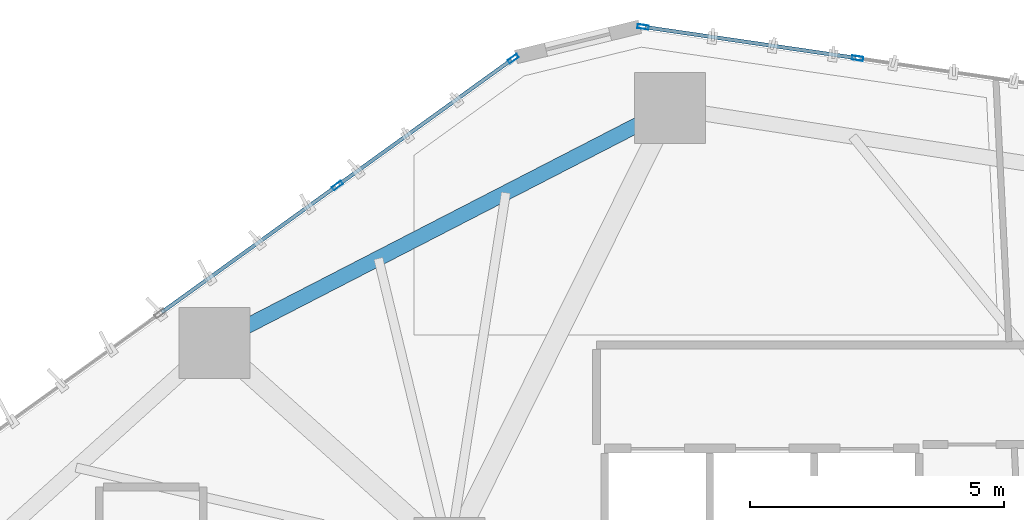
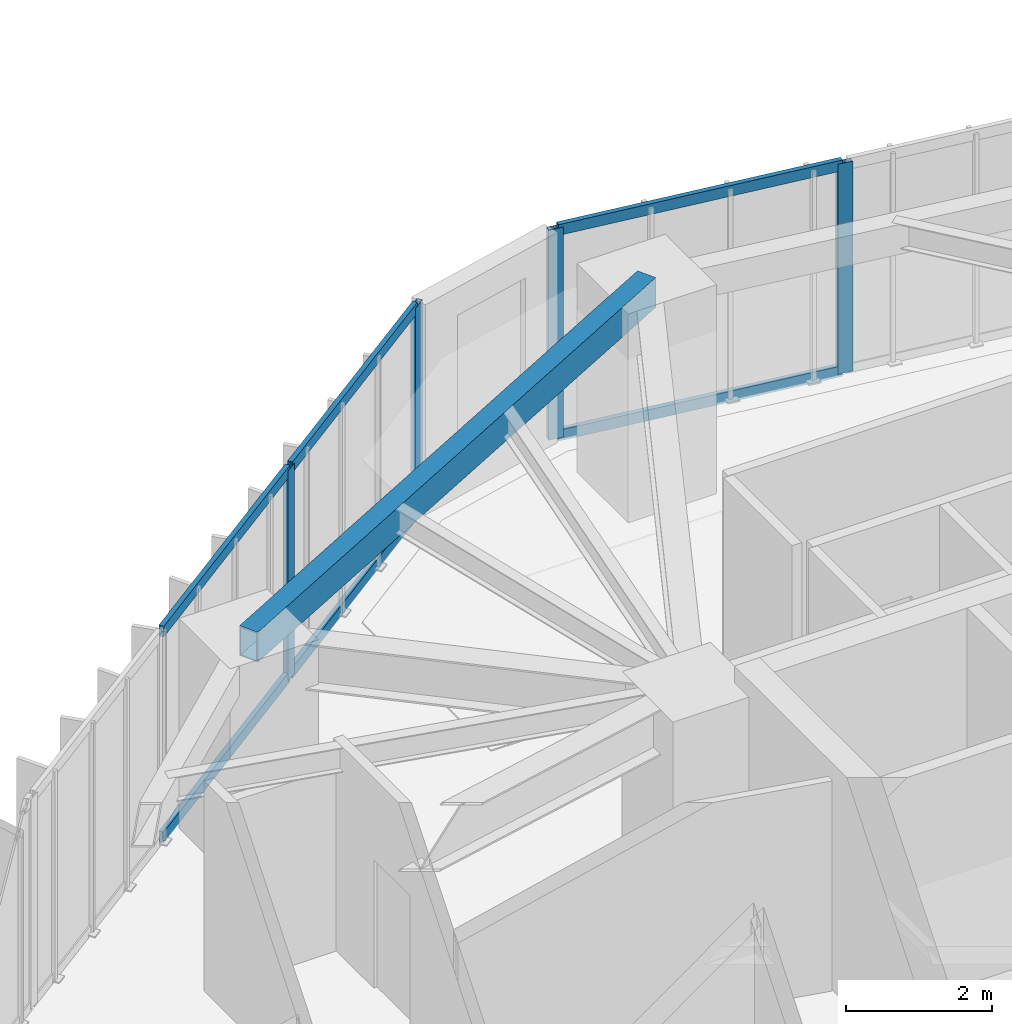
# One storey, part 14 of 22: 10 members, 1 beam, 2 elements without a shape of their own.
"""IFC4 building model written with IfcOpenShell, lengths in metres."""

from ifc_helpers import new_model, si_unit, direction, frame, origin, origin_2d, place, context, subcontext, project, spatial, hollow_rectangle, extrude, source, transform, mapped, material, layer, layer_set, material_profile, profile_set, type_object, type_shapes, element, aggregate, save


model = new_model("IFC4")

# Units and contexts
model_context = context("Model", 3, precision=1e-05, world=origin(), true_north=direction((0.0, 1.0)))
body_context = subcontext(model_context, "Body", "Model", "MODEL_VIEW")
ifc_project = project(units=[si_unit("LENGTHUNIT", "METRE"), si_unit("AREAUNIT", "SQUARE_METRE"), si_unit("VOLUMEUNIT", "CUBIC_METRE"), si_unit("PLANEANGLEUNIT", "RADIAN"), si_unit("MASSUNIT", "GRAM", prefix="KILO")], contexts=[model_context])

# Site, building, storey
site_placement = place(None, origin())
site = spatial("IfcSite", under=ifc_project, at=site_placement, CompositionType="ELEMENT")
building_placement = place(site_placement, origin())
building = spatial("IfcBuilding", under=site, at=building_placement, Name="Talar Marvaseh", CompositionType="ELEMENT")
storey_placement = place(building_placement, frame((0.0, 0.0, 65.800048828125)))
storey = spatial("IfcBuildingStorey", under=building, at=storey_placement, Name="L16", CompositionType="ELEMENT", Elevation=65.800048828125)

# Beam
ifc_material_1 = material(Name="Steel S355", Category="steel")
ifc_material_profile_1 = material_profile(ifc_material_1, hollow_rectangle(XDim=0.300048828125, YDim=0.5, WallThickness=0.02001953125, at=origin_2d()), Name="RHS500x300x20")
ifc_profile_set_1 = profile_set([ifc_material_profile_1], Name="Steel S355")
beam_type = type_object("IfcBeamType", Name="Zone 1 Perimeter Spandrel Beam RHS500x300x20", PredefinedType="SPANDREL", material=ifc_profile_set_1)
beam_placement = place(storey_placement, frame((14.069091796875, 41.04296875, 3.27001953125), z_axis=(0.889015710182, 0.457876694155, 0.0), x_axis=(-0.457876694155, 0.889015710182, 0.0)))
element("IfcBeam", 1, at=beam_placement, inside=storey, type_object=beam_type, Name="L16 Zone 1 Perimeter Spandrel Beam RHS500x300x20", PredefinedType="SPANDREL", context=body_context, shape_type="SweptSolid", body=[
    extrude(hollow_rectangle(XDim=0.300048828125, YDim=0.5, WallThickness=0.02001953125, at=origin_2d()), origin(), (0.0, 0.0, 1.0), 10.098876953125),
])

# Curtain wall, members
ifc_material_2 = material(Name="Architectural Aluminium", Category="aluminium")
ifc_layer = layer(ifc_material_2, 0.219970703125)
ifc_layer_set = layer_set([ifc_layer], Name="Architectural Aluminium")
curtain_wall_type = type_object("IfcCurtainWallType", Name="Unitised Low-E Museum Curtain Wall Z1", PredefinedType="NOTDEFINED", material=ifc_layer_set)
curtain_wall_1_placement = place(storey_placement, origin())
curtain_wall_1 = element("IfcCurtainWall", 2, at=curtain_wall_1_placement, inside=storey, type_object=curtain_wall_type, Name="L16 Unitised Low-E Museum Curtain Wall Z1", PredefinedType="NOTDEFINED")
ifc_material_profile_2 = material_profile(ifc_material_2, hollow_rectangle(XDim=0.080078125, YDim=0.219970703125, WallThickness=0.0048828125, at=origin_2d()), Name="RHS220x80x5")
ifc_profile_set_2 = profile_set([ifc_material_profile_2], Name="Architectural Aluminium")
member_type_1 = type_object("IfcMemberType", Name="Unitised Curtain Wall Heavy Mullion RHS220x80x5", PredefinedType="MULLION", material=ifc_profile_set_2)
shared_shape_1 = source(origin(), body_context, "Body", "SweptSolid", [
    extrude(hollow_rectangle(XDim=0.080078125, YDim=0.219970703125, WallThickness=0.0048828125, at=origin_2d()), origin(), (0.0, 0.0, 1.0), 3.52001953125),
])
type_shapes(member_type_1, [shared_shape_1])
member_1_placement = place(storey_placement, frame((16.4951171875, 44.1435546875, 0.0), z_axis=(0.0, 0.0, 1.0), x_axis=(-0.58520918329, 0.810882366187, 0.0)))
member_1 = element("IfcMember", 3, at=member_1_placement, type_object=member_type_1, Name="CW-Z1 mullion 4", PredefinedType="MULLION", context=body_context, shape_type="MappedRepresentation", body=[
    mapped(shared_shape_1, transform((0.0, 0.0, 0.0), x_axis=(1.0, 0.0, 0.0), y_axis=(0.0, 1.0, 0.0), z_axis=(0.0, 0.0, 1.0), scale=1.0)),
])
member_2_placement = place(storey_placement, frame((19.959228515625, 46.643310546875, 0.0), z_axis=(0.0, 0.0, 1.0), x_axis=(-0.58520918329, 0.810882366187, 0.0)))
member_2 = element("IfcMember", 4, at=member_2_placement, type_object=member_type_1, Name="CW-Z1 mullion 5", PredefinedType="MULLION", context=body_context, shape_type="MappedRepresentation", body=[
    mapped(shared_shape_1, transform((0.0, 0.0, 0.0), x_axis=(1.0, 0.0, 0.0), y_axis=(0.0, 1.0, 0.0), z_axis=(0.0, 0.0, 1.0), scale=1.0)),
])

curtain_wall_2_placement = place(storey_placement, origin())
curtain_wall_2 = element("IfcCurtainWall", 5, at=curtain_wall_2_placement, inside=storey, type_object=curtain_wall_type, Name="L16 Unitised Low-E Museum Curtain Wall Z1", PredefinedType="NOTDEFINED")
member_3_placement = place(storey_placement, frame((22.518798828125, 47.269775390625, 0.0), z_axis=(0.0, 0.0, 1.0), x_axis=(0.144664191981, 0.989480809091, 0.0)))
member_3 = element("IfcMember", 6, at=member_3_placement, type_object=member_type_1, Name="CW-Z1 mullion 1", PredefinedType="MULLION", context=body_context, shape_type="MappedRepresentation", body=[
    mapped(shared_shape_1, transform((0.0, 0.0, 0.0), x_axis=(1.0, 0.0, 0.0), y_axis=(0.0, 1.0, 0.0), z_axis=(0.0, 0.0, 1.0), scale=1.0)),
])
member_4_placement = place(storey_placement, frame((26.745849609375, 46.651611328125, 0.0), z_axis=(0.0, 0.0, 1.0), x_axis=(0.144664191981, 0.989480809091, 0.0)))
member_4 = element("IfcMember", 7, at=member_4_placement, type_object=member_type_1, Name="CW-Z1 mullion 2", PredefinedType="MULLION", context=body_context, shape_type="MappedRepresentation", body=[
    mapped(shared_shape_1, transform((0.0, 0.0, 0.0), x_axis=(1.0, 0.0, 0.0), y_axis=(0.0, 1.0, 0.0), z_axis=(0.0, 0.0, 1.0), scale=1.0)),
])

# Member
ifc_material_profile_3 = material_profile(ifc_material_2, hollow_rectangle(XDim=0.074951171875, YDim=0.179931640625, WallThickness=0.0048828125, at=origin_2d()), Name="RHS180x75x5")
ifc_profile_set_3 = profile_set([ifc_material_profile_3], Name="Architectural Aluminium")
member_type_2 = type_object("IfcMemberType", Name="Unitised Curtain Wall Transom RHS180x75x5", PredefinedType="USERDEFINED", material=ifc_profile_set_3)
shared_shape_2 = source(origin(), body_context, "Body", "SweptSolid", [
    extrude(hollow_rectangle(XDim=0.074951171875, YDim=0.179931640625, WallThickness=0.0048828125, at=origin_2d()), origin(), (0.0, 0.0, 1.0), 4.19189453125),
])
member_5_placement = place(storey_placement, frame((16.527587890625, 44.166748046875, 0.037353515625), z_axis=(0.810886505331, 0.585203447933, 0.0), x_axis=(-0.585203447933, 0.810886505331, 0.0)))
member_5 = element("IfcMember", 8, at=member_5_placement, type_object=member_type_2, Name="CW-Z1 transom 4.1", ObjectType="TRANSOM", PredefinedType="USERDEFINED", context=body_context, shape_type="MappedRepresentation", body=[
    mapped(shared_shape_2, transform((0.0, 0.0, 0.0), x_axis=(1.0, 0.0, 0.0), y_axis=(0.0, 1.0, 0.0), z_axis=(0.0, 0.0, 1.0), scale=1.0)),
])

member_6_placement = place(storey_placement, frame((16.527587890625, 44.166748046875, 3.482421875), z_axis=(0.810886505331, 0.585203447933, 0.0), x_axis=(-0.585203447933, 0.810886505331, 0.0)))
member_6 = element("IfcMember", 9, at=member_6_placement, type_object=member_type_2, Name="CW-Z1 transom 4.2", ObjectType="TRANSOM", PredefinedType="USERDEFINED", context=body_context, shape_type="MappedRepresentation", body=[
    mapped(shared_shape_2, transform((0.0, 0.0, 0.0), x_axis=(1.0, 0.0, 0.0), y_axis=(0.0, 1.0, 0.0), z_axis=(0.0, 0.0, 1.0), scale=1.0)),
])

shared_shape_3 = source(origin(), body_context, "Body", "SweptSolid", [
    extrude(hollow_rectangle(XDim=0.074951171875, YDim=0.179931640625, WallThickness=0.0048828125, at=origin_2d()), origin(), (0.0, 0.0, 1.0), 4.231689453125),
])
member_7_placement = place(storey_placement, frame((13.03125, 41.6435546875, 0.037353515625), z_axis=(0.810866306886, 0.585231434867, 0.0), x_axis=(-0.585231434867, 0.810866306886, 0.0)))
member_7 = element("IfcMember", 10, at=member_7_placement, type_object=member_type_2, Name="CW-Z1 transom 3.1", ObjectType="TRANSOM", PredefinedType="USERDEFINED", context=body_context, shape_type="MappedRepresentation", body=[
    mapped(shared_shape_3, transform((0.0, 0.0, 0.0), x_axis=(1.0, 0.0, 0.0), y_axis=(0.0, 1.0, 0.0), z_axis=(0.0, 0.0, 1.0), scale=1.0)),
])

member_8_placement = place(storey_placement, frame((13.03125, 41.6435546875, 3.482421875), z_axis=(0.810866306886, 0.585231434867, 0.0), x_axis=(-0.585231434867, 0.810866306886, 0.0)))
member_8 = element("IfcMember", 11, at=member_8_placement, type_object=member_type_2, Name="CW-Z1 transom 3.2", ObjectType="TRANSOM", PredefinedType="USERDEFINED", context=body_context, shape_type="MappedRepresentation", body=[
    mapped(shared_shape_3, transform((0.0, 0.0, 0.0), x_axis=(1.0, 0.0, 0.0), y_axis=(0.0, 1.0, 0.0), z_axis=(0.0, 0.0, 1.0), scale=1.0)),
])

aggregate(curtain_wall_1, [member_1, member_2, member_7, member_8, member_5, member_6])

shared_shape_4 = source(origin(), body_context, "Body", "SweptSolid", [
    extrude(hollow_rectangle(XDim=0.074951171875, YDim=0.179931640625, WallThickness=0.0048828125, at=origin_2d()), origin(), (0.0, 0.0, 1.0), 4.192138671875),
])
type_shapes(member_type_2, [shared_shape_2, shared_shape_3, shared_shape_4])
member_9_placement = place(storey_placement, frame((22.558349609375, 47.263916015625, 0.037353515625), z_axis=(0.989480592497, -0.144665673441, 0.0), x_axis=(0.144665673441, 0.989480592497, 0.0)))
member_9 = element("IfcMember", 12, at=member_9_placement, type_object=member_type_2, Name="CW-Z1 transom 1.1", ObjectType="TRANSOM", PredefinedType="USERDEFINED", context=body_context, shape_type="MappedRepresentation", body=[
    mapped(shared_shape_4, transform((0.0, 0.0, 0.0), x_axis=(1.0, 0.0, 0.0), y_axis=(0.0, 1.0, 0.0), z_axis=(0.0, 0.0, 1.0), scale=1.0)),
])

member_10_placement = place(storey_placement, frame((22.558349609375, 47.263916015625, 3.482421875), z_axis=(0.989480592497, -0.144665673441, 0.0), x_axis=(0.144665673441, 0.989480592497, 0.0)))
member_10 = element("IfcMember", 13, at=member_10_placement, type_object=member_type_2, Name="CW-Z1 transom 1.2", ObjectType="TRANSOM", PredefinedType="USERDEFINED", context=body_context, shape_type="MappedRepresentation", body=[
    mapped(shared_shape_4, transform((0.0, 0.0, 0.0), x_axis=(1.0, 0.0, 0.0), y_axis=(0.0, 1.0, 0.0), z_axis=(0.0, 0.0, 1.0), scale=1.0)),
])

aggregate(curtain_wall_2, [member_3, member_4, member_9, member_10])

save(model, "model.ifc")
